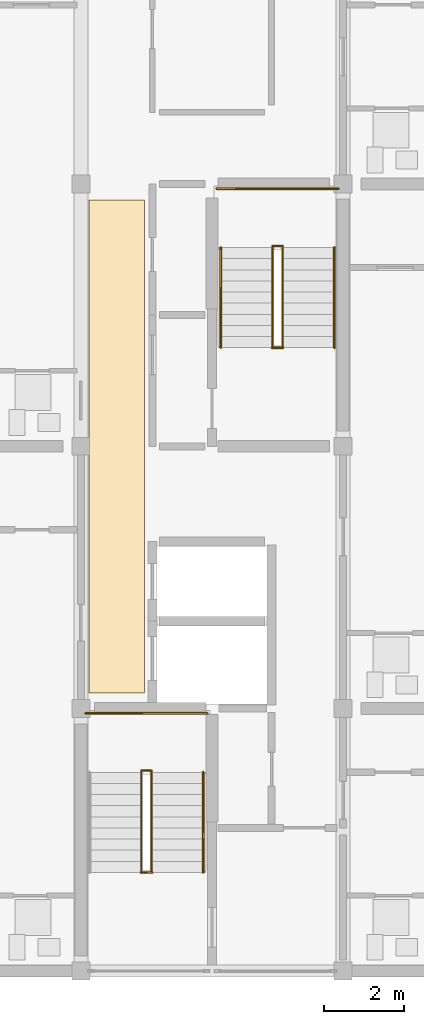
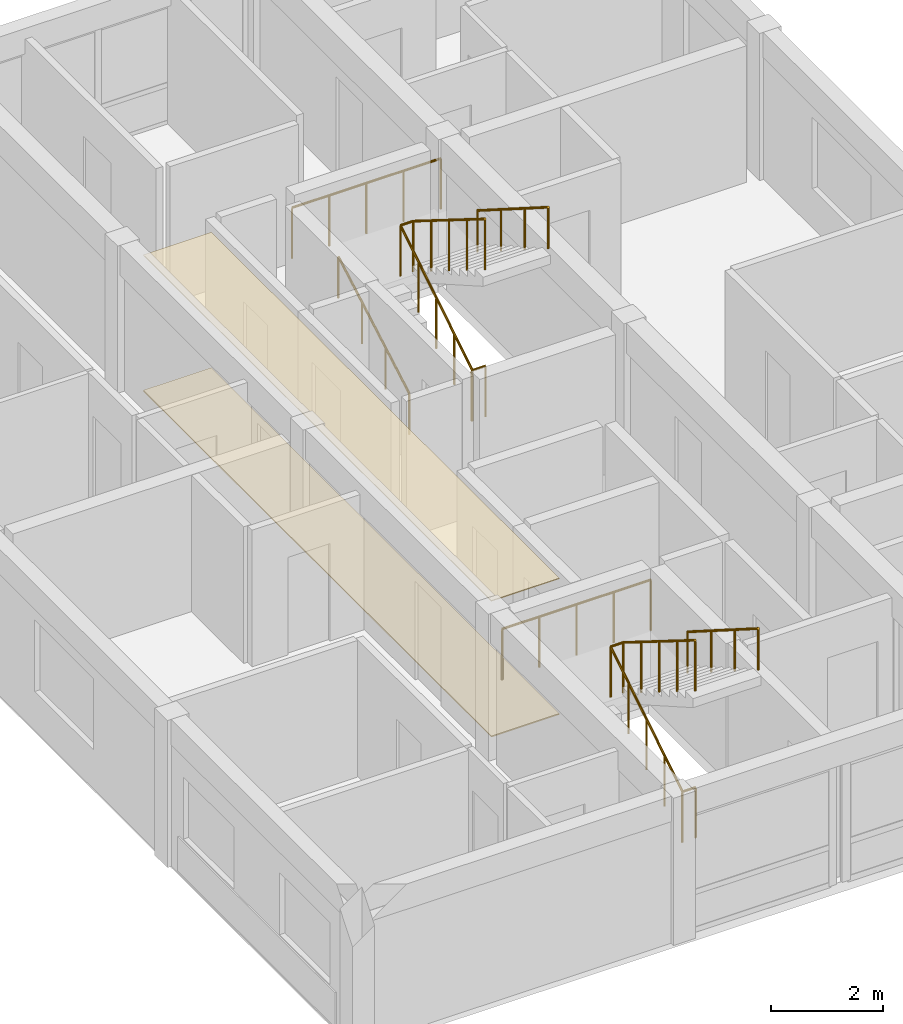
# One storey, part 42 of 46: 9 railings, 2 coverings.
"""IFC4 building model written with IfcOpenShell, lengths in metres."""

import ifcopenshell
import ifcopenshell.guid

model = None  # the IFC model being written
_history = None  # IfcOwnerHistory: only IFC2X3 demands one
_inside = {}  # id of a spatial element -> (the spatial element, [elements in it])
_under = {}  # id of a project, library or spatial element -> (it, [spatial elements below it])
_declared = {}  # id of a project -> (the project, [libraries it declares])
_typed = {}  # id of a type object -> (the type object, [elements of that type])
_made_of = {}  # id of a material, layer set ... -> (it, [elements and type objects made of it])


def new_model(schema):
    """Start an empty IFC model of exactly this schema.

    Asked for "IFC4X3", IfcOpenShell would pick the latest addendum, in which some entities
    have other attributes; the version numbers below select the first issue.
    IFC2X3 requires an IfcOwnerHistory on every rooted entity: one is made here for all.
    """
    global model, _history
    if schema == "IFC4X3":
        model = ifcopenshell.file(schema_version=(4, 3, 0, 0))
    else:
        model = ifcopenshell.file(schema=schema)
    _inside.clear()
    _under.clear()
    _declared.clear()
    _typed.clear()
    _made_of.clear()
    _history = None
    if model.schema == "IFC2X3":
        org = make("IfcOrganization", Name="unknown")
        user = make(
            "IfcPersonAndOrganization",
            ThePerson=make("IfcPerson", FamilyName="unknown"),
            TheOrganization=org,
        )
        app = make(
            "IfcApplication",
            ApplicationDeveloper=org,
            Version="unknown",
            ApplicationFullName="unknown",
            ApplicationIdentifier="unknown",
        )
        _history = make(
            "IfcOwnerHistory",
            OwningUser=user,
            OwningApplication=app,
            ChangeAction="ADDED",
            CreationDate=0,
        )
    return model


def make(cls, **values):
    """One entity of the class cls with the attributes given. An attribute that is None is left unset."""
    return model.create_entity(
        cls, **{name: value for name, value in values.items() if value is not None}
    )


def rooted(cls, **values):
    """An entity with a GlobalId (a new one), such as an element, a storey or a relation."""
    return make(cls, GlobalId=ifcopenshell.guid.new(), OwnerHistory=_history, **values)


def si_unit(unit_type, name, prefix=None):
    """IfcSIUnit, for example si_unit("LENGTHUNIT", "METRE", prefix="MILLI")."""
    return make("IfcSIUnit", UnitType=unit_type, Prefix=prefix, Name=name)


def assignment(units):
    """IfcUnitAssignment: the units of a project."""
    return None if units is None else make("IfcUnitAssignment", Units=units)


def point(xyz):
    """IfcCartesianPoint."""
    return None if xyz is None else make("IfcCartesianPoint", Coordinates=xyz)


def direction(xyz):
    """IfcDirection."""
    return None if xyz is None else make("IfcDirection", DirectionRatios=xyz)


def frame(location, z_axis=None, x_axis=None):
    """IfcAxis2Placement3D, a coordinate frame: its origin and axes. An axis left out is left unset."""
    return make(
        "IfcAxis2Placement3D",
        Location=point(location),
        Axis=direction(z_axis),
        RefDirection=direction(x_axis),
    )


def frame_2d(location, x_axis=None):
    """IfcAxis2Placement2D, a coordinate frame in the plane: its origin and x axis."""
    return make(
        "IfcAxis2Placement2D", Location=point(location), RefDirection=direction(x_axis)
    )


def origin():
    """The frame at (0, 0, 0) with its axes left unset."""
    return frame((0.0, 0.0, 0.0))


def origin_2d():
    """The frame at (0, 0) in the plane with its x axis left unset."""
    return frame_2d((0.0, 0.0))


def place(relative_to, where):
    """IfcLocalPlacement: puts the frame where relative to a parent placement (None: the world)."""
    return make(
        "IfcLocalPlacement", PlacementRelTo=relative_to, RelativePlacement=where
    )


def context(
    kind, dimensions, precision=None, world=None, true_north=None, identifier=None
):
    """IfcGeometricRepresentationContext, for example the 3D "Model" context."""
    return make(
        "IfcGeometricRepresentationContext",
        ContextIdentifier=identifier,
        ContextType=kind,
        CoordinateSpaceDimension=dimensions,
        Precision=precision,
        WorldCoordinateSystem=world,
        TrueNorth=true_north,
    )


def subcontext(parent, identifier, kind, view, scale=None):
    """IfcGeometricRepresentationSubContext, for example "Body" below "Model"."""
    return make(
        "IfcGeometricRepresentationSubContext",
        ContextIdentifier=identifier,
        ContextType=kind,
        ParentContext=parent,
        TargetScale=scale,
        TargetView=view,
    )


def project(units=None, contexts=None):
    """IfcProject with its units and contexts."""
    return rooted(
        "IfcProject",
        Name="project",
        RepresentationContexts=contexts,
        UnitsInContext=assignment(units),
    )


def spatial(cls, under=None, at=None, **own):
    """A site, building, storey or space (cls), placed at a placement, below another one or the project."""
    s = rooted(cls, ObjectPlacement=at, **own)
    if under is not None:
        _under.setdefault(under.id(), (under, []))[1].append(s)
    return s


def polyline(points):
    """IfcPolyline through the points."""
    return make("IfcPolyline", Points=[point(p) for p in points])


def profile(cls, at=None, kind="AREA", **sizes):
    """A parametric profile (cls). Its sizes go by their IFC names, for example OverallWidth=200.0."""
    return make(cls, ProfileType=kind, Position=at, **sizes)


def circle(**sizes):
    """IfcCircleProfileDef."""
    return profile("IfcCircleProfileDef", **sizes)


def outline(outer, holes=None, kind="AREA"):
    """IfcArbitraryClosedProfileDef: a profile drawn as a closed curve; with holes, ...WithVoids."""
    if holes is None:
        return make("IfcArbitraryClosedProfileDef", ProfileType=kind, OuterCurve=outer)
    return make(
        "IfcArbitraryProfileDefWithVoids",
        ProfileType=kind,
        OuterCurve=outer,
        InnerCurves=holes,
    )


def extrude(swept, where, along, depth):
    """IfcExtrudedAreaSolid: the profile swept, set in the frame where, extruded along a direction by depth."""
    return make(
        "IfcExtrudedAreaSolid",
        SweptArea=swept,
        Position=where,
        ExtrudedDirection=direction(along),
        Depth=depth,
    )


def shape(context_of_items, identifier, shape_type, items):
    """IfcShapeRepresentation: the items that make up one representation, for example the "Body"."""
    return make(
        "IfcShapeRepresentation",
        ContextOfItems=context_of_items,
        RepresentationIdentifier=identifier,
        RepresentationType=shape_type,
        Items=items,
    )


def material(Name=None, Category=None):
    """IfcMaterial."""
    return make("IfcMaterial", Name=Name, Category=Category)


def layer(
    of_material, thickness, ventilated=None, Name=None, Category=None, Priority=None
):
    """IfcMaterialLayer: one layer of a wall or slab, of a material (None: an air gap)."""
    return make(
        "IfcMaterialLayer",
        Material=of_material,
        LayerThickness=thickness,
        IsVentilated=ventilated,
        Name=Name,
        Category=Category,
        Priority=Priority,
    )


def layer_set(layers, Name=None):
    """IfcMaterialLayerSet."""
    return make("IfcMaterialLayerSet", MaterialLayers=layers, LayerSetName=Name)


def made_of(thing, what):
    """Note that an element or type object is made of a material, layer set ...; save() writes the relation."""
    if what is not None:
        _made_of.setdefault(what.id(), (what, []))[1].append(thing)
    return thing


def type_object(cls, material=None, **own):
    """A type object (cls), such as IfcWallType, which elements share."""
    return made_of(rooted(cls, **own), material)


def element(
    cls,
    number,
    at=None,
    inside=None,
    cuts=None,
    type_object=None,
    material=None,
    context=None,
    identifier="Body",
    shape_type=None,
    held_by="IfcProductDefinitionShape",
    body=None,
    shapes=None,
    **own,
):
    """One element of the class cls, such as IfcWall. Its Tag is "e" and its number.

    at: its placement. inside: the storey or other place that contains it. cuts: it is an
    opening in that element (IfcRelVoidsElement). A single representation is given by context,
    identifier, shape_type and body (its items); several are given by shapes. held_by: the class
    of the entity that holds the representations. save() writes the other relations.
    """
    e = rooted(cls, Tag="e%d" % number, ObjectPlacement=at, **own)
    if body is not None:
        shapes = [shape(context, identifier, shape_type, body)]
    if shapes is not None:
        e.Representation = make(held_by, Representations=shapes)
    if inside is not None:
        _inside.setdefault(inside.id(), (inside, []))[1].append(e)
    if cuts is not None:
        rooted(
            "IfcRelVoidsElement", RelatingBuildingElement=cuts, RelatedOpeningElement=e
        )
    if type_object is not None:
        _typed.setdefault(type_object.id(), (type_object, []))[1].append(e)
    return made_of(e, material)


def aggregate(whole, parts):
    """IfcRelAggregates: a whole, such as a stair, and the parts it consists of."""
    return rooted("IfcRelAggregates", RelatingObject=whole, RelatedObjects=parts)


def save(model, path):
    """Write the relations noted so far, then the file.

    IfcRelAggregates (storeys below a building ...), IfcRelContainedInSpatialStructure (elements
    in a storey), IfcRelDefinesByType, IfcRelAssociatesMaterial and IfcRelDeclares: one each for
    every whole, place, type object, material and project.
    """
    for whole, parts in _under.values():
        aggregate(whole, parts)
    for where, things in _inside.values():
        rooted(
            "IfcRelContainedInSpatialStructure",
            RelatedElements=things,
            RelatingStructure=where,
        )
    for kind, things in _typed.values():
        rooted("IfcRelDefinesByType", RelatedObjects=things, RelatingType=kind)
    for what, things in _made_of.values():
        rooted("IfcRelAssociatesMaterial", RelatedObjects=things, RelatingMaterial=what)
    for by, libraries in _declared.values():
        rooted("IfcRelDeclares", RelatingContext=by, RelatedDefinitions=libraries)
    model.write(path)


model = new_model("IFC4")

# Units and contexts
model_context = context("Model", 3, precision=1e-05, world=origin(), true_north=direction((0.0, 1.0)))
body_context = subcontext(model_context, "Body", "Model", "MODEL_VIEW")
ifc_project = project(units=[si_unit("LENGTHUNIT", "METRE"), si_unit("AREAUNIT", "SQUARE_METRE"), si_unit("VOLUMEUNIT", "CUBIC_METRE"), si_unit("PLANEANGLEUNIT", "RADIAN"), si_unit("MASSUNIT", "GRAM", prefix="KILO")], contexts=[model_context])

# Site, building, storey
site_placement = place(None, origin())
site = spatial("IfcSite", under=ifc_project, at=site_placement, CompositionType="ELEMENT")
building_placement = place(site_placement, origin())
building = spatial("IfcBuilding", under=site, at=building_placement, Name="Kernevlak Ridge Housing Community", CompositionType="ELEMENT")
storey_placement = place(building_placement, frame((0.0, 0.0, 27.60009765625)))
storey = spatial("IfcBuildingStorey", under=building, at=storey_placement, Name="L08", CompositionType="ELEMENT", Elevation=27.60009765625)

# Coverings
ifc_material_1 = material(Name="Acoustic perforated gypsum ceiling board")
ifc_layer_1 = layer(ifc_material_1, 0.02001953125, Name="Acoustic perforated gypsum ceiling board")
ifc_layer_set_1 = layer_set([ifc_layer_1], Name="Acoustic perforated gypsum ceiling board")
covering_type_1 = type_object("IfcCoveringType", Name="CV-01", PredefinedType="CEILING", material=ifc_layer_set_1)
covering_1_placement = place(storey_placement, frame((0.0, 0.0, 2.949951171875)))
element("IfcCovering", 1, at=covering_1_placement, inside=storey, type_object=covering_type_1, Name="Block C L08 lobby acoustic ceiling", PredefinedType="CEILING", context=body_context, shape_type="SweptSolid", body=[
    extrude(outline(polyline([(134.199951171875, 22.60009765625), (134.199951171875, 35.0), (132.800048828125, 35.0), (132.800048828125, 22.60009765625), (134.199951171875, 22.60009765625)])), origin(), (0.0, 0.0, 1.0), 0.02001953125),
])
ifc_material_2 = material(Name="Polished pale terrazzo tile flooring")
ifc_layer_2 = layer(ifc_material_2, 0.02490234375, Name="Polished pale terrazzo tile flooring")
ifc_layer_set_2 = layer_set([ifc_layer_2], Name="Polished pale terrazzo tile flooring")
covering_type_2 = type_object("IfcCoveringType", Name="CV-02", PredefinedType="FLOORING", material=ifc_layer_set_2)
covering_2_placement = place(storey_placement, origin())
element("IfcCovering", 2, at=covering_2_placement, inside=storey, type_object=covering_type_2, Name="Block C L08 lobby terrazzo flooring", PredefinedType="FLOORING", context=body_context, shape_type="SweptSolid", body=[
    extrude(outline(polyline([(134.199951171875, 22.60009765625), (134.199951171875, 35.0), (132.800048828125, 35.0), (132.800048828125, 22.60009765625), (134.199951171875, 22.60009765625)])), origin(), (0.0, 0.0, 1.0), 0.02490234375),
])

# Railings
ifc_material_3 = material(Name="Steel S355", Category="steel")
railing_type_1 = type_object("IfcRailingType", Name="GR-02", PredefinedType="GUARDRAIL", material=ifc_material_3)
railing_1_placement = place(storey_placement, frame((134.110107421875, 18.080078125, 0.0)))
element("IfcRailing", 3, at=railing_1_placement, inside=storey, type_object=railing_type_1, Name="Stair ST-C1 L08 well slot guard", PredefinedType="GUARDRAIL", context=body_context, shape_type="SweptSolid", body=[
    extrude(circle(Radius=0.02392578125, at=origin_2d()), frame((0.0, 0.0, 1.09619140625), z_axis=(1.0, 0.0, 0.0), x_axis=(0.0, 1.0, 0.0)), (0.0, 0.0, 1.0), 0.27978515625),
    extrude(circle(Radius=0.02099609375, at=origin_2d()), origin(), (0.0, 0.0, 1.0), 1.072021484375),
    extrude(circle(Radius=0.02099609375, at=origin_2d()), frame((0.27978515625, 0.0, 0.0)), (0.0, 0.0, 1.0), 1.072021484375),
])
railing_2_placement = place(storey_placement, frame((134.1201171875, 18.080078125, 0.0)))
element("IfcRailing", 4, at=railing_2_placement, inside=storey, type_object=railing_type_1, Name="Stair ST-C1 L08 inner well guardrail", PredefinedType="GUARDRAIL", context=body_context, shape_type="SweptSolid", body=[
    extrude(circle(Radius=0.02392578125, at=origin_2d()), frame((0.0, 0.0, 1.09619140625), z_axis=(0.0, 0.848002847666, 0.529991670077), x_axis=(-1.0, 0.0, 0.0)), (0.0, 0.0, 1.0), 3.0185546875),
    extrude(circle(Radius=0.02392578125, at=origin_2d()), frame((0.0, 2.559814453125, 2.69580078125), z_axis=(1.0, 0.0, 0.0), x_axis=(0.0, 1.0, 0.0)), (0.0, 0.0, 1.0), 0.259765625),
    extrude(circle(Radius=0.02392578125, at=origin_2d()), frame((0.259765625, 2.559814453125, 2.69580078125), z_axis=(0.0, -0.847966497998, 0.530049826217), x_axis=(1.0, 0.0, 0.0)), (0.0, 0.0, 1.0), 3.018798828125),
    extrude(circle(Radius=0.02099609375, at=origin_2d()), origin(), (0.0, 0.0, 1.0), 1.072021484375),
    extrude(circle(Radius=0.02099609375, at=origin_2d()), frame((0.0, 0.639892578125, 0.39990234375)), (0.0, 0.0, 1.0), 1.072021484375),
    extrude(circle(Radius=0.02099609375, at=origin_2d()), frame((0.0, 1.27978515625, 0.7998046875)), (0.0, 0.0, 1.0), 1.072021484375),
    extrude(circle(Radius=0.02099609375, at=origin_2d()), frame((0.0, 1.919921875, 1.199951171875)), (0.0, 0.0, 1.0), 1.072021484375),
    extrude(circle(Radius=0.02099609375, at=origin_2d()), frame((0.0, 2.559814453125, 1.599853515625)), (0.0, 0.0, 1.0), 1.072021484375),
    extrude(circle(Radius=0.02099609375, at=origin_2d()), frame((0.259765625, 2.559814453125, 1.599853515625)), (0.0, 0.0, 1.0), 1.072021484375),
    extrude(circle(Radius=0.02099609375, at=origin_2d()), frame((0.259765625, 1.919921875, 2.0)), (0.0, 0.0, 1.0), 1.072021484375),
    extrude(circle(Radius=0.02099609375, at=origin_2d()), frame((0.259765625, 1.27978515625, 2.39990234375)), (0.0, 0.0, 1.0), 1.072021484375),
    extrude(circle(Radius=0.02099609375, at=origin_2d()), frame((0.259765625, 0.639892578125, 2.7998046875)), (0.0, 0.0, 1.0), 1.072021484375),
    extrude(circle(Radius=0.02099609375, at=origin_2d()), frame((0.259765625, 0.0, 3.199951171875)), (0.0, 0.0, 1.0), 1.072021484375),
])
railing_3_placement = place(storey_placement, frame((132.719970703125, 22.080078125, 1.599853515625)))
element("IfcRailing", 5, at=railing_3_placement, inside=storey, type_object=railing_type_1, Name="Stair ST-C1 L08 half-landing guard", PredefinedType="GUARDRAIL", context=body_context, shape_type="SweptSolid", body=[
    extrude(circle(Radius=0.02392578125, at=origin_2d()), frame((0.0, 0.0, 1.09619140625), z_axis=(1.0, 0.0, 0.0), x_axis=(0.0, 1.0, 0.0)), (0.0, 0.0, 1.0), 3.06005859375),
    extrude(circle(Radius=0.02099609375, at=origin_2d()), origin(), (0.0, 0.0, 1.0), 1.072021484375),
    extrude(circle(Radius=0.02099609375, at=origin_2d()), frame((0.76513671875, 0.0, 0.0)), (0.0, 0.0, 1.0), 1.072021484375),
    extrude(circle(Radius=0.02099609375, at=origin_2d()), frame((1.530029296875, 0.0, 0.0)), (0.0, 0.0, 1.0), 1.072021484375),
    extrude(circle(Radius=0.02099609375, at=origin_2d()), frame((2.294921875, 0.0, 0.0)), (0.0, 0.0, 1.0), 1.072021484375),
    extrude(circle(Radius=0.02099609375, at=origin_2d()), frame((3.06005859375, 0.0, 0.0)), (0.0, 0.0, 1.0), 1.072021484375),
])
railing_4_placement = place(storey_placement, frame((137.409912109375, 31.280029296875, 0.0)))
element("IfcRailing", 6, at=railing_4_placement, inside=storey, type_object=railing_type_1, Name="Stair ST-C2 L08 well slot guard", PredefinedType="GUARDRAIL", context=body_context, shape_type="SweptSolid", body=[
    extrude(circle(Radius=0.02392578125, at=origin_2d()), frame((0.0, 0.0, 1.09619140625), z_axis=(1.0, 0.0, 0.0), x_axis=(0.0, 1.0, 0.0)), (0.0, 0.0, 1.0), 0.280029296875),
    extrude(circle(Radius=0.02099609375, at=origin_2d()), origin(), (0.0, 0.0, 1.0), 1.072021484375),
    extrude(circle(Radius=0.02099609375, at=origin_2d()), frame((0.280029296875, 0.0, 0.0)), (0.0, 0.0, 1.0), 1.072021484375),
])
railing_5_placement = place(storey_placement, frame((137.419921875, 31.280029296875, 0.0)))
element("IfcRailing", 7, at=railing_5_placement, inside=storey, type_object=railing_type_1, Name="Stair ST-C2 L08 inner well guardrail", PredefinedType="GUARDRAIL", context=body_context, shape_type="SweptSolid", body=[
    extrude(circle(Radius=0.02392578125, at=origin_2d()), frame((0.0, 0.0, 1.09619140625), z_axis=(0.0, 0.848025563165, 0.529955322851), x_axis=(-1.0, 0.0, 0.0)), (0.0, 0.0, 1.0), 3.018798828125),
    extrude(circle(Radius=0.02392578125, at=origin_2d()), frame((0.0, 2.56005859375, 2.69580078125), z_axis=(1.0, 0.0, 0.0), x_axis=(0.0, 1.0, 0.0)), (0.0, 0.0, 1.0), 0.260009765625),
    extrude(circle(Radius=0.02392578125, at=origin_2d()), frame((0.260009765625, 2.56005859375, 2.69580078125), z_axis=(0.0, -0.847989217509, 0.530013478119), x_axis=(1.0, 0.0, 0.0)), (0.0, 0.0, 1.0), 3.01904296875),
    extrude(circle(Radius=0.02099609375, at=origin_2d()), origin(), (0.0, 0.0, 1.0), 1.072021484375),
    extrude(circle(Radius=0.02099609375, at=origin_2d()), frame((0.0, 0.64013671875, 0.39990234375)), (0.0, 0.0, 1.0), 1.072021484375),
    extrude(circle(Radius=0.02099609375, at=origin_2d()), frame((0.0, 1.280029296875, 0.7998046875)), (0.0, 0.0, 1.0), 1.072021484375),
    extrude(circle(Radius=0.02099609375, at=origin_2d()), frame((0.0, 1.919921875, 1.199951171875)), (0.0, 0.0, 1.0), 1.072021484375),
    extrude(circle(Radius=0.02099609375, at=origin_2d()), frame((0.0, 2.56005859375, 1.599853515625)), (0.0, 0.0, 1.0), 1.072021484375),
    extrude(circle(Radius=0.02099609375, at=origin_2d()), frame((0.260009765625, 2.56005859375, 1.599853515625)), (0.0, 0.0, 1.0), 1.072021484375),
    extrude(circle(Radius=0.02099609375, at=origin_2d()), frame((0.260009765625, 1.919921875, 2.0)), (0.0, 0.0, 1.0), 1.072021484375),
    extrude(circle(Radius=0.02099609375, at=origin_2d()), frame((0.260009765625, 1.280029296875, 2.39990234375)), (0.0, 0.0, 1.0), 1.072021484375),
    extrude(circle(Radius=0.02099609375, at=origin_2d()), frame((0.260009765625, 0.64013671875, 2.7998046875)), (0.0, 0.0, 1.0), 1.072021484375),
    extrude(circle(Radius=0.02099609375, at=origin_2d()), frame((0.260009765625, 0.0, 3.199951171875)), (0.0, 0.0, 1.0), 1.072021484375),
])
railing_6_placement = place(storey_placement, frame((136.02001953125, 35.280029296875, 1.599853515625)))
element("IfcRailing", 8, at=railing_6_placement, inside=storey, type_object=railing_type_1, Name="Stair ST-C2 L08 half-landing guard", PredefinedType="GUARDRAIL", context=body_context, shape_type="SweptSolid", body=[
    extrude(circle(Radius=0.02392578125, at=origin_2d()), frame((0.0, 0.0, 1.09619140625), z_axis=(1.0, 0.0, 0.0), x_axis=(0.0, 1.0, 0.0)), (0.0, 0.0, 1.0), 3.06005859375),
    extrude(circle(Radius=0.02099609375, at=origin_2d()), origin(), (0.0, 0.0, 1.0), 1.072021484375),
    extrude(circle(Radius=0.02099609375, at=origin_2d()), frame((0.76513671875, 0.0, 0.0)), (0.0, 0.0, 1.0), 1.072021484375),
    extrude(circle(Radius=0.02099609375, at=origin_2d()), frame((1.530029296875, 0.0, 0.0)), (0.0, 0.0, 1.0), 1.072021484375),
    extrude(circle(Radius=0.02099609375, at=origin_2d()), frame((2.294921875, 0.0, 0.0)), (0.0, 0.0, 1.0), 1.072021484375),
    extrude(circle(Radius=0.02099609375, at=origin_2d()), frame((3.06005859375, 0.0, 0.0)), (0.0, 0.0, 1.0), 1.072021484375),
])
ifc_material_4 = material(Name="Stainless steel EN 1.4401", Category="steel")
railing_type_2 = type_object("IfcRailingType", Name="HR-01", PredefinedType="HANDRAIL", material=ifc_material_4)
railing_7_placement = place(storey_placement, frame((135.679931640625, 20.60009765625, 1.599853515625)))
element("IfcRailing", 9, at=railing_7_placement, inside=storey, type_object=railing_type_2, Name="Stair ST-C1 L08 flight 2 handrail", PredefinedType="HANDRAIL", context=body_context, shape_type="SweptSolid", body=[
    extrude(circle(Radius=0.02392578125, at=origin_2d()), frame((0.0, 0.0, 0.89599609375), z_axis=(0.0, -0.844199891302, 0.536028491338), x_axis=(1.0, 0.0, 0.0)), (0.0, 0.0, 1.0), 2.985107421875),
    extrude(circle(Radius=0.02099609375, at=origin_2d()), origin(), (0.0, 0.0, 1.0), 0.871826171875),
    extrude(circle(Radius=0.02099609375, at=origin_2d()), frame((0.0, -0.840087890625, 0.533447265625)), (0.0, 0.0, 1.0), 0.871826171875),
    extrude(circle(Radius=0.02099609375, at=origin_2d()), frame((0.0, -1.679931640625, 1.066650390625)), (0.0, 0.0, 1.0), 0.871826171875),
    extrude(circle(Radius=0.02099609375, at=origin_2d()), frame((0.0, -2.52001953125, 1.60009765625)), (0.0, 0.0, 1.0), 0.871826171875),
])
railing_8_placement = place(storey_placement, frame((136.1201171875, 31.280029296875, 0.159912109375)))
element("IfcRailing", 10, at=railing_8_placement, inside=storey, type_object=railing_type_2, Name="Stair ST-C2 L08 flight 1 handrail", PredefinedType="HANDRAIL", context=body_context, shape_type="SweptSolid", body=[
    extrude(circle(Radius=0.02392578125, at=origin_2d()), frame((0.0, 0.0, 0.89599609375), z_axis=(0.0, 0.868253494771, 0.496120820787), x_axis=(-1.0, 0.0, 0.0)), (0.0, 0.0, 1.0), 2.90234375),
    extrude(circle(Radius=0.02099609375, at=origin_2d()), origin(), (0.0, 0.0, 1.0), 0.871826171875),
    extrude(circle(Radius=0.02099609375, at=origin_2d()), frame((0.0, 0.840087890625, 0.47998046875)), (0.0, 0.0, 1.0), 0.871826171875),
    extrude(circle(Radius=0.02099609375, at=origin_2d()), frame((0.0, 1.679931640625, 0.9599609375)), (0.0, 0.0, 1.0), 0.871826171875),
    extrude(circle(Radius=0.02099609375, at=origin_2d()), frame((0.0, 2.52001953125, 1.43994140625)), (0.0, 0.0, 1.0), 0.871826171875),
])
railing_9_placement = place(storey_placement, frame((138.97998046875, 33.800048828125, 1.599853515625)))
element("IfcRailing", 11, at=railing_9_placement, inside=storey, type_object=railing_type_2, Name="Stair ST-C2 L08 flight 2 handrail", PredefinedType="HANDRAIL", context=body_context, shape_type="SweptSolid", body=[
    extrude(circle(Radius=0.02392578125, at=origin_2d()), frame((0.0, 0.0, 0.89599609375), z_axis=(0.0, -0.844199891302, 0.536028491338), x_axis=(1.0, 0.0, 0.0)), (0.0, 0.0, 1.0), 2.985107421875),
    extrude(circle(Radius=0.02099609375, at=origin_2d()), origin(), (0.0, 0.0, 1.0), 0.871826171875),
    extrude(circle(Radius=0.02099609375, at=origin_2d()), frame((0.0, -0.840087890625, 0.533447265625)), (0.0, 0.0, 1.0), 0.871826171875),
    extrude(circle(Radius=0.02099609375, at=origin_2d()), frame((0.0, -1.679931640625, 1.066650390625)), (0.0, 0.0, 1.0), 0.871826171875),
    extrude(circle(Radius=0.02099609375, at=origin_2d()), frame((0.0, -2.52001953125, 1.60009765625)), (0.0, 0.0, 1.0), 0.871826171875),
])

save(model, "model.ifc")
